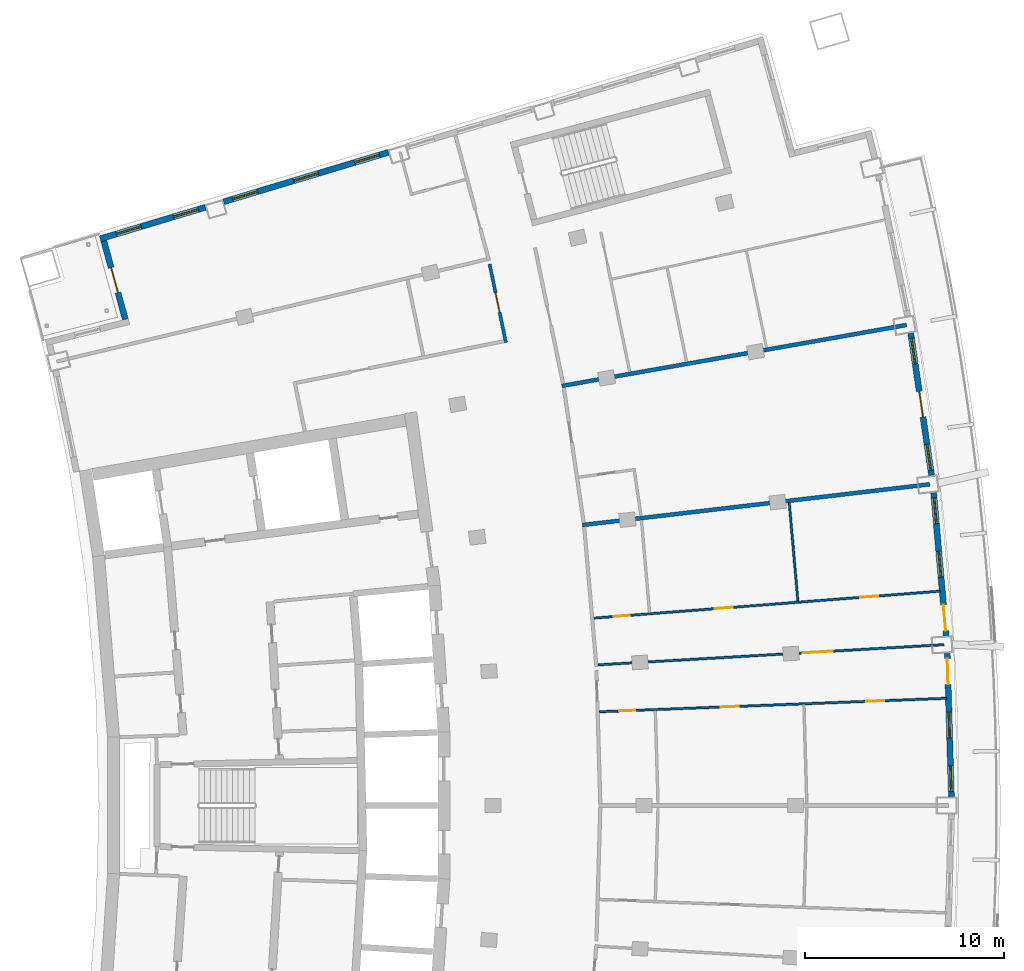
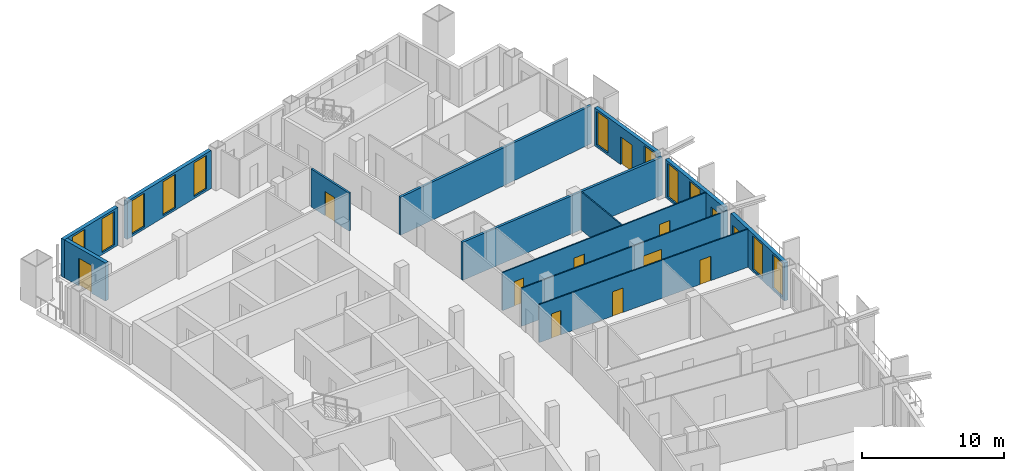
# One storey, part 14 of 19: 13 walls, 12 doors, 11 windows, 23 openings.
"""IFC4 building model written with IfcOpenShell, lengths in metres."""

from ifc_helpers import new_model, si_unit, direction, frame, frame_2d, origin, place, context, subcontext, project, spatial, rectangle, extrude, material, layer, layer_set, type_object, element, fill, save


model = new_model("IFC4")

# Units and contexts
model_context = context("Model", 3, precision=1e-05, world=origin(), true_north=direction((0.0, 1.0)))
body_context = subcontext(model_context, "Body", "Model", "MODEL_VIEW")
ifc_project = project(units=[si_unit("LENGTHUNIT", "METRE"), si_unit("AREAUNIT", "SQUARE_METRE"), si_unit("VOLUMEUNIT", "CUBIC_METRE"), si_unit("PLANEANGLEUNIT", "RADIAN"), si_unit("MASSUNIT", "GRAM", prefix="KILO")], contexts=[model_context])

# Site, building, storey
site_placement = place(None, origin())
site = spatial("IfcSite", under=ifc_project, at=site_placement, CompositionType="ELEMENT")
building_placement = place(site_placement, origin())
building = spatial("IfcBuilding", under=site, at=building_placement, Name="Alderwake Tower", CompositionType="ELEMENT")
storey_placement = place(building_placement, frame((0.0, 0.0, 192.800048828125)))
storey = spatial("IfcBuildingStorey", under=building, at=storey_placement, Name="L47", CompositionType="ELEMENT", Elevation=192.800048828125)

# Wall, opening, door
ifc_material_1 = material(Name="Gypsum board on metal studs, rated")
ifc_layer_1 = layer(ifc_material_1, 0.159912109375)
ifc_layer_set_1 = layer_set([ifc_layer_1], Name="Corridor wall 160")
wall_type_1 = type_object("IfcWallType", Name="Corridor wall 160", PredefinedType="PARTITIONING", material=ifc_layer_set_1)
wall_1_placement = place(storey_placement, frame((36.451416015625, 84.272705078125, 0.0), z_axis=(0.0, 0.0, 1.0), x_axis=(-0.203258199701, 0.979125172924, 0.0)))
wall_1 = element("IfcWall", 1, at=wall_1_placement, inside=storey, type_object=wall_type_1, Name="WL/L47/W17", PredefinedType="PARTITIONING", context=body_context, shape_type="SweptSolid", body=[
    extrude(rectangle(XDim=4.020263671875, YDim=0.159912109375, at=frame_2d((2.01025390625, 0.0))), origin(), (0.0, 0.0, 1.0), 3.280029296875),
])
opening_1_placement = place(wall_1_placement, frame((1.549560546875, 0.0, 0.0)))
opening_1 = element("IfcOpeningElement", 2, at=opening_1_placement, cuts=wall_1, Name="Opening R13-SBN2", PredefinedType="OPENING", context=body_context, shape_type="SweptSolid", body=[
    extrude(rectangle(XDim=1.0, YDim=2.10009765625, at=frame_2d((0.5, 1.050048828125))), frame((0.0, 0.08984375, 0.0), z_axis=(0.0, -1.0, 0.0), x_axis=(1.0, 0.0, 0.0)), (0.0, 0.0, 1.0), 0.179931640625),
])
ifc_material_2 = material(Name="Steel-framed fire door leaf", Category="steel")
door_type_1 = type_object("IfcDoorType", Name="Plant room door 1000 fire-rated", OperationType="SINGLE_SWING_LEFT", PredefinedType="DOOR", material=ifc_material_2)
door_1_placement = place(opening_1_placement, origin())
door_1 = element("IfcDoor", 3, at=door_1_placement, inside=storey, type_object=door_type_1, Name="DR/L47/SBN2", OperationType="SINGLE_SWING_LEFT", OverallHeight=2.10009765625, OverallWidth=1.0, PredefinedType="DOOR", context=body_context, shape_type="SweptSolid", body=[
    extrude(rectangle(XDim=1.0, YDim=2.10009765625, at=frame_2d((0.5, 1.050048828125))), frame((0.0, 0.02490234375, 0.0), z_axis=(0.0, -1.0, 0.0), x_axis=(1.0, 0.0, 0.0)), (0.0, 0.0, 1.0), 0.050048828125),
])
fill(opening_1, door_1)

# Wall, openings, door, windows
ifc_material_3 = material(Name="Precast concrete C50/60 spandrel panel", Category="concrete")
ifc_layer_2 = layer(ifc_material_3, 0.300048828125)
ifc_layer_set_2 = layer_set([ifc_layer_2], Name="External wall EW1 Precast concrete C50/60 spandrel")
wall_type_2 = type_object("IfcWallType", Name="External wall EW1 Precast concrete C50/60 spandrel", PredefinedType="SOLIDWALL", material=ifc_layer_set_2)
wall_2_placement = place(storey_placement, frame((58.8369140625, 61.447265625, 0.0), z_axis=(0.0, 0.0, 1.0), x_axis=(-0.0291809358, 0.999574145817, 0.0)))
wall_2 = element("IfcWall", 4, at=wall_2_placement, inside=storey, type_object=wall_type_2, Name="External wall 16", PredefinedType="SOLIDWALL", context=body_context, shape_type="SweptSolid", body=[
    extrude(rectangle(XDim=7.20361328125, YDim=0.300048828125, at=frame_2d((3.601806640625, 0.0))), origin(), (0.0, 0.0, 1.0), 3.280029296875),
])
opening_2_placement = place(wall_2_placement, frame((0.257080078125, 0.0, 0.199951171875)))
opening_2 = element("IfcOpeningElement", 5, at=opening_2_placement, cuts=wall_2, Name="Opening W1", PredefinedType="OPENING", context=body_context, shape_type="SweptSolid", body=[
    extrude(rectangle(XDim=1.300048828125, YDim=2.89990234375, at=frame_2d((0.64990234375, 1.449951171875))), frame((0.0, 0.159912109375, 0.0), z_axis=(0.0, -1.0, 0.0), x_axis=(1.0, 0.0, 0.0)), (0.0, 0.0, 1.0), 0.320068359375),
])
opening_3_placement = place(wall_2_placement, frame((2.951904296875, 0.0, 0.199951171875)))
opening_3 = element("IfcOpeningElement", 6, at=opening_3_placement, cuts=wall_2, Name="Opening W1", PredefinedType="OPENING", context=body_context, shape_type="SweptSolid", body=[
    extrude(rectangle(XDim=1.300048828125, YDim=2.89990234375, at=frame_2d((0.64990234375, 1.449951171875))), frame((0.0, 0.159912109375, 0.0), z_axis=(0.0, -1.0, 0.0), x_axis=(1.0, 0.0, 0.0)), (0.0, 0.0, 1.0), 0.320068359375),
])
opening_4_placement = place(wall_2_placement, frame((5.646484375, 0.0, 0.0)))
opening_4 = element("IfcOpeningElement", 7, at=opening_4_placement, cuts=wall_2, Name="Opening D05", PredefinedType="OPENING", context=body_context, shape_type="SweptSolid", body=[
    extrude(rectangle(XDim=1.300048828125, YDim=2.39990234375, at=frame_2d((0.64990234375, 1.199951171875))), frame((0.0, 0.159912109375, 0.0), z_axis=(0.0, -1.0, 0.0), x_axis=(1.0, 0.0, 0.0)), (0.0, 0.0, 1.0), 0.320068359375),
])
ifc_material_4 = material(Name="Bronze tinted glass in aluminium frame", Category="aluminium")
door_type_2 = type_object("IfcDoorType", Name="Balcony door BD sliding", OperationType="SLIDING_TO_LEFT", PredefinedType="DOOR", material=ifc_material_4)
door_2_placement = place(opening_4_placement, origin())
door_2 = element("IfcDoor", 8, at=door_2_placement, inside=storey, type_object=door_type_2, Name="Door D05", OperationType="SLIDING_TO_LEFT", OverallHeight=2.39990234375, OverallWidth=1.300048828125, PredefinedType="DOOR", context=body_context, shape_type="SweptSolid", body=[
    extrude(rectangle(XDim=1.300048828125, YDim=2.39990234375, at=frame_2d((0.64990234375, 1.199951171875))), frame((0.0, 0.02490234375, 0.0), z_axis=(0.0, -1.0, 0.0), x_axis=(1.0, 0.0, 0.0)), (0.0, 0.0, 1.0), 0.050048828125),
])
fill(opening_4, door_2)
ifc_material_5 = material(Name="Bronze tinted glass in aluminium frame", Category="aluminium")
window_type = type_object("IfcWindowType", Name="Window W1 tall fixed and vent", PartitioningType="DOUBLE_PANEL_VERTICAL", PredefinedType="WINDOW", material=ifc_material_5)
window_1_placement = place(opening_2_placement, origin())
window_1 = element("IfcWindow", 9, at=window_1_placement, inside=storey, type_object=window_type, Name="Window W1 tall fixed and vent", OverallHeight=2.89990234375, OverallWidth=1.300048828125, PartitioningType="DOUBLE_PANEL_VERTICAL", PredefinedType="WINDOW", context=body_context, shape_type="SweptSolid", body=[
    extrude(rectangle(XDim=1.300048828125, YDim=2.89990234375, at=frame_2d((0.64990234375, 1.449951171875))), frame((0.0, 0.030029296875, 0.0), z_axis=(0.0, -1.0, 0.0), x_axis=(1.0, 0.0, 0.0)), (0.0, 0.0, 1.0), 0.06005859375),
])
fill(opening_2, window_1)
window_2_placement = place(opening_3_placement, origin())
window_2 = element("IfcWindow", 10, at=window_2_placement, inside=storey, type_object=window_type, Name="Window W1 tall fixed and vent", OverallHeight=2.89990234375, OverallWidth=1.300048828125, PartitioningType="DOUBLE_PANEL_VERTICAL", PredefinedType="WINDOW", context=body_context, shape_type="SweptSolid", body=[
    extrude(rectangle(XDim=1.300048828125, YDim=2.89990234375, at=frame_2d((0.64990234375, 1.449951171875))), frame((0.0, 0.030029296875, 0.0), z_axis=(0.0, -1.0, 0.0), x_axis=(1.0, 0.0, 0.0)), (0.0, 0.0, 1.0), 0.06005859375),
])
fill(opening_3, window_2)

wall_3_placement = place(storey_placement, frame((58.57470703125, 69.540771484375, 0.0), z_axis=(0.0, 0.0, 1.0), x_axis=(-0.087372536775, 0.996175707301, 0.0)))
wall_3 = element("IfcWall", 11, at=wall_3_placement, inside=storey, type_object=wall_type_2, Name="External wall 17", PredefinedType="SOLIDWALL", context=body_context, shape_type="SweptSolid", body=[
    extrude(rectangle(XDim=7.20361328125, YDim=0.300048828125, at=frame_2d((3.601806640625, 0.0))), origin(), (0.0, 0.0, 1.0), 3.280029296875),
])
opening_5_placement = place(wall_3_placement, frame((0.257080078125, 0.0, 0.0)))
opening_5 = element("IfcOpeningElement", 12, at=opening_5_placement, cuts=wall_3, Name="Opening D06", PredefinedType="OPENING", context=body_context, shape_type="SweptSolid", body=[
    extrude(rectangle(XDim=1.300048828125, YDim=2.39990234375, at=frame_2d((0.64990234375, 1.199951171875))), frame((0.0, 0.159912109375, 0.0), z_axis=(0.0, -1.0, 0.0), x_axis=(1.0, 0.0, 0.0)), (0.0, 0.0, 1.0), 0.320068359375),
])
opening_6_placement = place(wall_3_placement, frame((2.951904296875, 0.0, 0.199951171875)))
opening_6 = element("IfcOpeningElement", 13, at=opening_6_placement, cuts=wall_3, Name="Opening W1", PredefinedType="OPENING", context=body_context, shape_type="SweptSolid", body=[
    extrude(rectangle(XDim=1.300048828125, YDim=2.89990234375, at=frame_2d((0.64990234375, 1.449951171875))), frame((0.0, 0.159912109375, 0.0), z_axis=(0.0, -1.0, 0.0), x_axis=(1.0, 0.0, 0.0)), (0.0, 0.0, 1.0), 0.320068359375),
])
opening_7_placement = place(wall_3_placement, frame((5.646484375, 0.0, 0.199951171875)))
opening_7 = element("IfcOpeningElement", 14, at=opening_7_placement, cuts=wall_3, Name="Opening W1", PredefinedType="OPENING", context=body_context, shape_type="SweptSolid", body=[
    extrude(rectangle(XDim=1.300048828125, YDim=2.89990234375, at=frame_2d((0.64990234375, 1.449951171875))), frame((0.0, 0.159912109375, 0.0), z_axis=(0.0, -1.0, 0.0), x_axis=(1.0, 0.0, 0.0)), (0.0, 0.0, 1.0), 0.320068359375),
])
door_3_placement = place(opening_5_placement, origin())
door_3 = element("IfcDoor", 15, at=door_3_placement, inside=storey, type_object=door_type_2, Name="Door D06", OperationType="SLIDING_TO_LEFT", OverallHeight=2.39990234375, OverallWidth=1.300048828125, PredefinedType="DOOR", context=body_context, shape_type="SweptSolid", body=[
    extrude(rectangle(XDim=1.300048828125, YDim=2.39990234375, at=frame_2d((0.64990234375, 1.199951171875))), frame((0.0, 0.02490234375, 0.0), z_axis=(0.0, -1.0, 0.0), x_axis=(1.0, 0.0, 0.0)), (0.0, 0.0, 1.0), 0.050048828125),
])
fill(opening_5, door_3)
window_3_placement = place(opening_6_placement, origin())
window_3 = element("IfcWindow", 16, at=window_3_placement, inside=storey, type_object=window_type, Name="Window W1 tall fixed and vent", OverallHeight=2.89990234375, OverallWidth=1.300048828125, PartitioningType="DOUBLE_PANEL_VERTICAL", PredefinedType="WINDOW", context=body_context, shape_type="SweptSolid", body=[
    extrude(rectangle(XDim=1.300048828125, YDim=2.89990234375, at=frame_2d((0.64990234375, 1.449951171875))), frame((0.0, 0.030029296875, 0.0), z_axis=(0.0, -1.0, 0.0), x_axis=(1.0, 0.0, 0.0)), (0.0, 0.0, 1.0), 0.06005859375),
])
fill(opening_6, window_3)
window_4_placement = place(opening_7_placement, origin())
window_4 = element("IfcWindow", 17, at=window_4_placement, inside=storey, type_object=window_type, Name="Window W1 tall fixed and vent", OverallHeight=2.89990234375, OverallWidth=1.300048828125, PartitioningType="DOUBLE_PANEL_VERTICAL", PredefinedType="WINDOW", context=body_context, shape_type="SweptSolid", body=[
    extrude(rectangle(XDim=1.300048828125, YDim=2.89990234375, at=frame_2d((0.64990234375, 1.449951171875))), frame((0.0, 0.030029296875, 0.0), z_axis=(0.0, -1.0, 0.0), x_axis=(1.0, 0.0, 0.0)), (0.0, 0.0, 1.0), 0.06005859375),
])
fill(opening_7, window_4)

wall_4_placement = place(storey_placement, frame((57.841064453125, 77.60498046875, 0.0), z_axis=(0.0, 0.0, 1.0), x_axis=(-0.145320319938, 0.98938465958, 0.0)))
wall_4 = element("IfcWall", 18, at=wall_4_placement, inside=storey, type_object=wall_type_2, Name="External wall 18", PredefinedType="SOLIDWALL", context=body_context, shape_type="SweptSolid", body=[
    extrude(rectangle(XDim=7.203857421875, YDim=0.300048828125, at=frame_2d((3.60205078125, 0.0))), origin(), (0.0, 0.0, 1.0), 3.280029296875),
])
opening_8_placement = place(wall_4_placement, frame((0.257080078125, 0.0, 0.199951171875)))
opening_8 = element("IfcOpeningElement", 19, at=opening_8_placement, cuts=wall_4, Name="Opening W1", PredefinedType="OPENING", context=body_context, shape_type="SweptSolid", body=[
    extrude(rectangle(XDim=1.300048828125, YDim=2.89990234375, at=frame_2d((0.64990234375, 1.449951171875))), frame((0.0, 0.159912109375, 0.0), z_axis=(0.0, -1.0, 0.0), x_axis=(1.0, 0.0, 0.0)), (0.0, 0.0, 1.0), 0.320068359375),
])
opening_9_placement = place(wall_4_placement, frame((2.951904296875, 0.0, 0.0)))
opening_9 = element("IfcOpeningElement", 20, at=opening_9_placement, cuts=wall_4, Name="Opening D07", PredefinedType="OPENING", context=body_context, shape_type="SweptSolid", body=[
    extrude(rectangle(XDim=1.300048828125, YDim=2.39990234375, at=frame_2d((0.64990234375, 1.199951171875))), frame((0.0, 0.159912109375, 0.0), z_axis=(0.0, -1.0, 0.0), x_axis=(1.0, 0.0, 0.0)), (0.0, 0.0, 1.0), 0.320068359375),
])
opening_10_placement = place(wall_4_placement, frame((5.646484375, 0.0, 0.199951171875)))
opening_10 = element("IfcOpeningElement", 21, at=opening_10_placement, cuts=wall_4, Name="Opening W1", PredefinedType="OPENING", context=body_context, shape_type="SweptSolid", body=[
    extrude(rectangle(XDim=1.300048828125, YDim=2.89990234375, at=frame_2d((0.64990234375, 1.449951171875))), frame((0.0, 0.159912109375, 0.0), z_axis=(0.0, -1.0, 0.0), x_axis=(1.0, 0.0, 0.0)), (0.0, 0.0, 1.0), 0.320068359375),
])
door_4_placement = place(opening_9_placement, origin())
door_4 = element("IfcDoor", 22, at=door_4_placement, inside=storey, type_object=door_type_2, Name="Door D07", OperationType="SLIDING_TO_LEFT", OverallHeight=2.39990234375, OverallWidth=1.300048828125, PredefinedType="DOOR", context=body_context, shape_type="SweptSolid", body=[
    extrude(rectangle(XDim=1.300048828125, YDim=2.39990234375, at=frame_2d((0.64990234375, 1.199951171875))), frame((0.0, 0.02490234375, 0.0), z_axis=(0.0, -1.0, 0.0), x_axis=(1.0, 0.0, 0.0)), (0.0, 0.0, 1.0), 0.050048828125),
])
fill(opening_9, door_4)
window_5_placement = place(opening_8_placement, origin())
window_5 = element("IfcWindow", 23, at=window_5_placement, inside=storey, type_object=window_type, Name="Window W1 tall fixed and vent", OverallHeight=2.89990234375, OverallWidth=1.300048828125, PartitioningType="DOUBLE_PANEL_VERTICAL", PredefinedType="WINDOW", context=body_context, shape_type="SweptSolid", body=[
    extrude(rectangle(XDim=1.300048828125, YDim=2.89990234375, at=frame_2d((0.64990234375, 1.449951171875))), frame((0.0, 0.030029296875, 0.0), z_axis=(0.0, -1.0, 0.0), x_axis=(1.0, 0.0, 0.0)), (0.0, 0.0, 1.0), 0.06005859375),
])
fill(opening_8, window_5)
window_6_placement = place(opening_10_placement, origin())
window_6 = element("IfcWindow", 24, at=window_6_placement, inside=storey, type_object=window_type, Name="Window W1 tall fixed and vent", OverallHeight=2.89990234375, OverallWidth=1.300048828125, PartitioningType="DOUBLE_PANEL_VERTICAL", PredefinedType="WINDOW", context=body_context, shape_type="SweptSolid", body=[
    extrude(rectangle(XDim=1.300048828125, YDim=2.89990234375, at=frame_2d((0.64990234375, 1.449951171875))), frame((0.0, 0.030029296875, 0.0), z_axis=(0.0, -1.0, 0.0), x_axis=(1.0, 0.0, 0.0)), (0.0, 0.0, 1.0), 0.06005859375),
])
fill(opening_10, window_6)

# Wall, openings, windows
ifc_material_6 = material(Name="Bronze metal cladding on lightweight framing")
ifc_layer_3 = layer(ifc_material_6, 0.300048828125)
ifc_layer_set_3 = layer_set([ifc_layer_3], Name="External wall EW2 bronze metal cladding")
wall_type_3 = type_object("IfcWallType", Name="External wall EW2 bronze metal cladding", PredefinedType="SOLIDWALL", material=ifc_layer_set_3)
wall_5_placement = place(storey_placement, frame((30.551513671875, 93.825439453125, 0.0), z_axis=(0.0, 0.0, 1.0), x_axis=(-0.957759421932, -0.287570669054, 0.0)))
wall_5 = element("IfcWall", 25, at=wall_5_placement, inside=storey, type_object=wall_type_3, Name="External wall 26", PredefinedType="SOLIDWALL", context=body_context, shape_type="SweptSolid", body=[
    extrude(rectangle(XDim=8.64599609375, YDim=0.300048828125, at=frame_2d((4.322998046875, 0.0))), origin(), (0.0, 0.0, 1.0), 3.280029296875),
])
opening_11_placement = place(wall_5_placement, frame((0.47314453125, 0.0, 0.199951171875)))
opening_11 = element("IfcOpeningElement", 26, at=opening_11_placement, cuts=wall_5, Name="Opening W1", PredefinedType="OPENING", context=body_context, shape_type="SweptSolid", body=[
    extrude(rectangle(XDim=1.300048828125, YDim=2.89990234375, at=frame_2d((0.64990234375, 1.449951171875))), frame((0.0, 0.159912109375, 0.0), z_axis=(0.0, -1.0, 0.0), x_axis=(1.0, 0.0, 0.0)), (0.0, 0.0, 1.0), 0.320068359375),
])
opening_12_placement = place(wall_5_placement, frame((3.673095703125, 0.0, 0.199951171875)))
opening_12 = element("IfcOpeningElement", 27, at=opening_12_placement, cuts=wall_5, Name="Opening W1", PredefinedType="OPENING", context=body_context, shape_type="SweptSolid", body=[
    extrude(rectangle(XDim=1.300048828125, YDim=2.89990234375, at=frame_2d((0.64990234375, 1.449951171875))), frame((0.0, 0.159912109375, 0.0), z_axis=(0.0, -1.0, 0.0), x_axis=(1.0, 0.0, 0.0)), (0.0, 0.0, 1.0), 0.320068359375),
])
opening_13_placement = place(wall_5_placement, frame((6.873291015625, 0.0, 0.199951171875)))
opening_13 = element("IfcOpeningElement", 28, at=opening_13_placement, cuts=wall_5, Name="Opening W1", PredefinedType="OPENING", context=body_context, shape_type="SweptSolid", body=[
    extrude(rectangle(XDim=1.300048828125, YDim=2.89990234375, at=frame_2d((0.64990234375, 1.449951171875))), frame((0.0, 0.159912109375, 0.0), z_axis=(0.0, -1.0, 0.0), x_axis=(1.0, 0.0, 0.0)), (0.0, 0.0, 1.0), 0.320068359375),
])
window_7_placement = place(opening_11_placement, origin())
window_7 = element("IfcWindow", 29, at=window_7_placement, inside=storey, type_object=window_type, Name="Window W1 tall fixed and vent", OverallHeight=2.89990234375, OverallWidth=1.300048828125, PartitioningType="DOUBLE_PANEL_VERTICAL", PredefinedType="WINDOW", context=body_context, shape_type="SweptSolid", body=[
    extrude(rectangle(XDim=1.300048828125, YDim=2.89990234375, at=frame_2d((0.64990234375, 1.449951171875))), frame((0.0, 0.030029296875, 0.0), z_axis=(0.0, -1.0, 0.0), x_axis=(1.0, 0.0, 0.0)), (0.0, 0.0, 1.0), 0.06005859375),
])
fill(opening_11, window_7)
window_8_placement = place(opening_12_placement, origin())
window_8 = element("IfcWindow", 30, at=window_8_placement, inside=storey, type_object=window_type, Name="Window W1 tall fixed and vent", OverallHeight=2.89990234375, OverallWidth=1.300048828125, PartitioningType="DOUBLE_PANEL_VERTICAL", PredefinedType="WINDOW", context=body_context, shape_type="SweptSolid", body=[
    extrude(rectangle(XDim=1.300048828125, YDim=2.89990234375, at=frame_2d((0.64990234375, 1.449951171875))), frame((0.0, 0.030029296875, 0.0), z_axis=(0.0, -1.0, 0.0), x_axis=(1.0, 0.0, 0.0)), (0.0, 0.0, 1.0), 0.06005859375),
])
fill(opening_12, window_8)
window_9_placement = place(opening_13_placement, origin())
window_9 = element("IfcWindow", 31, at=window_9_placement, inside=storey, type_object=window_type, Name="Window W1 tall fixed and vent", OverallHeight=2.89990234375, OverallWidth=1.300048828125, PartitioningType="DOUBLE_PANEL_VERTICAL", PredefinedType="WINDOW", context=body_context, shape_type="SweptSolid", body=[
    extrude(rectangle(XDim=1.300048828125, YDim=2.89990234375, at=frame_2d((0.64990234375, 1.449951171875))), frame((0.0, 0.030029296875, 0.0), z_axis=(0.0, -1.0, 0.0), x_axis=(1.0, 0.0, 0.0)), (0.0, 0.0, 1.0), 0.06005859375),
])
fill(opening_13, window_9)

wall_6_placement = place(storey_placement, frame((21.356689453125, 91.064697265625, 0.0), z_axis=(0.0, 0.0, 1.0), x_axis=(-0.957772749247, -0.287526278451, 0.0)))
wall_6 = element("IfcWall", 32, at=wall_6_placement, inside=storey, type_object=wall_type_3, Name="External wall 27", PredefinedType="SOLIDWALL", context=body_context, shape_type="SweptSolid", body=[
    extrude(rectangle(XDim=5.524169921875, YDim=0.300048828125, at=frame_2d((2.76220703125, 0.0))), origin(), (0.0, 0.0, 1.0), 3.280029296875),
])
opening_14_placement = place(wall_6_placement, frame((0.373291015625, 0.0, 0.199951171875)))
opening_14 = element("IfcOpeningElement", 33, at=opening_14_placement, cuts=wall_6, Name="Opening W1", PredefinedType="OPENING", context=body_context, shape_type="SweptSolid", body=[
    extrude(rectangle(XDim=1.300048828125, YDim=2.89990234375, at=frame_2d((0.64990234375, 1.449951171875))), frame((0.0, 0.159912109375, 0.0), z_axis=(0.0, -1.0, 0.0), x_axis=(1.0, 0.0, 0.0)), (0.0, 0.0, 1.0), 0.320068359375),
])
opening_15_placement = place(wall_6_placement, frame((3.3740234375, 0.0, 0.199951171875)))
opening_15 = element("IfcOpeningElement", 34, at=opening_15_placement, cuts=wall_6, Name="Opening W1", PredefinedType="OPENING", context=body_context, shape_type="SweptSolid", body=[
    extrude(rectangle(XDim=1.300048828125, YDim=2.89990234375, at=frame_2d((0.64990234375, 1.449951171875))), frame((0.0, 0.159912109375, 0.0), z_axis=(0.0, -1.0, 0.0), x_axis=(1.0, 0.0, 0.0)), (0.0, 0.0, 1.0), 0.320068359375),
])
window_10_placement = place(opening_14_placement, origin())
window_10 = element("IfcWindow", 35, at=window_10_placement, inside=storey, type_object=window_type, Name="Window W1 tall fixed and vent", OverallHeight=2.89990234375, OverallWidth=1.300048828125, PartitioningType="DOUBLE_PANEL_VERTICAL", PredefinedType="WINDOW", context=body_context, shape_type="SweptSolid", body=[
    extrude(rectangle(XDim=1.300048828125, YDim=2.89990234375, at=frame_2d((0.64990234375, 1.449951171875))), frame((0.0, 0.030029296875, 0.0), z_axis=(0.0, -1.0, 0.0), x_axis=(1.0, 0.0, 0.0)), (0.0, 0.0, 1.0), 0.06005859375),
])
fill(opening_14, window_10)
window_11_placement = place(opening_15_placement, origin())
window_11 = element("IfcWindow", 36, at=window_11_placement, inside=storey, type_object=window_type, Name="Window W1 tall fixed and vent", OverallHeight=2.89990234375, OverallWidth=1.300048828125, PartitioningType="DOUBLE_PANEL_VERTICAL", PredefinedType="WINDOW", context=body_context, shape_type="SweptSolid", body=[
    extrude(rectangle(XDim=1.300048828125, YDim=2.89990234375, at=frame_2d((0.64990234375, 1.449951171875))), frame((0.0, 0.030029296875, 0.0), z_axis=(0.0, -1.0, 0.0), x_axis=(1.0, 0.0, 0.0)), (0.0, 0.0, 1.0), 0.06005859375),
])
fill(opening_15, window_11)

# Wall, opening, door
wall_7_placement = place(storey_placement, frame((16.248779296875, 89.374755859375, 0.0), z_axis=(0.0, 0.0, 1.0), x_axis=(0.264607053468, -0.964356317579, 0.0)))
wall_7 = element("IfcWall", 37, at=wall_7_placement, inside=storey, type_object=wall_type_3, Name="External wall 28", PredefinedType="SOLIDWALL", context=body_context, shape_type="SweptSolid", body=[
    extrude(rectangle(XDim=4.090087890625, YDim=0.300048828125, at=frame_2d((2.044921875, 0.0))), origin(), (0.0, 0.0, 1.0), 3.280029296875),
])
opening_16_placement = place(wall_7_placement, frame((1.39501953125, 0.0, 0.0)))
opening_16 = element("IfcOpeningElement", 38, at=opening_16_placement, cuts=wall_7, Name="Opening D09", PredefinedType="OPENING", context=body_context, shape_type="SweptSolid", body=[
    extrude(rectangle(XDim=1.300048828125, YDim=2.39990234375, at=frame_2d((0.64990234375, 1.199951171875))), frame((0.0, 0.159912109375, 0.0), z_axis=(0.0, -1.0, 0.0), x_axis=(1.0, 0.0, 0.0)), (0.0, 0.0, 1.0), 0.320068359375),
])
door_5_placement = place(opening_16_placement, origin())
door_5 = element("IfcDoor", 39, at=door_5_placement, inside=storey, type_object=door_type_2, Name="Door D09", OperationType="SLIDING_TO_LEFT", OverallHeight=2.39990234375, OverallWidth=1.300048828125, PredefinedType="DOOR", context=body_context, shape_type="SweptSolid", body=[
    extrude(rectangle(XDim=1.300048828125, YDim=2.39990234375, at=frame_2d((0.64990234375, 1.199951171875))), frame((0.0, 0.02490234375, 0.0), z_axis=(0.0, -1.0, 0.0), x_axis=(1.0, 0.0, 0.0)), (0.0, 0.0, 1.0), 0.050048828125),
])
fill(opening_16, door_5)

# Walls
ifc_material_7 = material(Name="Dense block masonry wall", Category="masonry")
ifc_layer_4 = layer(ifc_material_7, 0.199951171875)
ifc_layer_set_4 = layer_set([ifc_layer_4], Name="Party wall 200")
wall_type_4 = type_object("IfcWallType", Name="Party wall 200", PredefinedType="SOLIDWALL", material=ifc_layer_set_4)
wall_8_placement = place(storey_placement, frame((56.5830078125, 85.14892578125, 0.0), z_axis=(0.0, 0.0, 1.0), x_axis=(-0.984721150285, -0.174138611979, 0.0)))
element("IfcWall", 40, at=wall_8_placement, inside=storey, type_object=wall_type_4, Name="WL/L47/W01", PredefinedType="SOLIDWALL", context=body_context, shape_type="SweptSolid", body=[
    extrude(rectangle(XDim=17.582275390625, YDim=0.199951171875, at=frame_2d((8.791015625, 0.0))), origin(), (0.0, 0.0, 1.0), 3.280029296875),
])
wall_9_placement = place(storey_placement, frame((57.756103515625, 77.14501953125, 0.0), z_axis=(0.0, 0.0, 1.0), x_axis=(-0.99320038144, -0.116417362568, 0.0)))
element("IfcWall", 41, at=wall_9_placement, inside=storey, type_object=wall_type_4, Name="WL/L47/W02", PredefinedType="SOLIDWALL", context=body_context, shape_type="SweptSolid", body=[
    extrude(rectangle(XDim=17.578125, YDim=0.199951171875, at=frame_2d((8.7890625, 0.0))), origin(), (0.0, 0.0, 1.0), 3.280029296875),
])

# Wall, openings, doors
ifc_material_8 = material(Name="Gypsum board on metal studs")
ifc_layer_5 = layer(ifc_material_8, 0.10009765625)
ifc_layer_set_5 = layer_set([ifc_layer_5], Name="Unit partition 100")
wall_type_5 = type_object("IfcWallType", Name="Unit partition 100", PredefinedType="PARTITIONING", material=ifc_layer_set_5)
wall_10_placement = place(storey_placement, frame((40.867919921875, 70.419189453125, 0.0), z_axis=(0.0, 0.0, 1.0), x_axis=(0.996981921396, 0.077634067331, 0.0)))
wall_10 = element("IfcWall", 42, at=wall_10_placement, inside=storey, type_object=wall_type_5, Name="WL/L47/W45", PredefinedType="PARTITIONING", context=body_context, shape_type="SweptSolid", body=[
    extrude(rectangle(XDim=17.462890625, YDim=0.10009765625, at=frame_2d((8.7314453125, 0.0))), origin(), (0.0, 0.0, 1.0), 3.280029296875),
])
opening_17_placement = place(wall_10_placement, frame((6.105712890625, 0.0, 0.0)))
opening_17 = element("IfcOpeningElement", 43, at=opening_17_placement, cuts=wall_10, Name="Opening R13-U05.5", PredefinedType="OPENING", context=body_context, shape_type="SweptSolid", body=[
    extrude(rectangle(XDim=0.89990234375, YDim=2.10009765625, at=frame_2d((0.449951171875, 1.050048828125))), frame((0.0, 0.06005859375, 0.0), z_axis=(0.0, -1.0, 0.0), x_axis=(1.0, 0.0, 0.0)), (0.0, 0.0, 1.0), 0.1201171875),
])
opening_18_placement = place(wall_10_placement, frame((1.009521484375, 0.0, 0.0)))
opening_18 = element("IfcOpeningElement", 44, at=opening_18_placement, cuts=wall_10, Name="Opening R13-U05.6", PredefinedType="OPENING", context=body_context, shape_type="SweptSolid", body=[
    extrude(rectangle(XDim=0.800048828125, YDim=2.10009765625, at=frame_2d((0.39990234375, 1.050048828125))), frame((0.0, 0.06005859375, 0.0), z_axis=(0.0, -1.0, 0.0), x_axis=(1.0, 0.0, 0.0)), (0.0, 0.0, 1.0), 0.1201171875),
])
opening_19_placement = place(wall_10_placement, frame((13.427490234375, 0.0, 0.0)))
opening_19 = element("IfcOpeningElement", 45, at=opening_19_placement, cuts=wall_10, Name="Opening R13-U05.7", PredefinedType="OPENING", context=body_context, shape_type="SweptSolid", body=[
    extrude(rectangle(XDim=0.89990234375, YDim=2.10009765625, at=frame_2d((0.449951171875, 1.050048828125))), frame((0.0, 0.06005859375, 0.0), z_axis=(0.0, -1.0, 0.0), x_axis=(1.0, 0.0, 0.0)), (0.0, 0.0, 1.0), 0.1201171875),
])
ifc_material_9 = material(Name="Painted timber leaf", Category="wood")
door_type_3 = type_object("IfcDoorType", Name="Bathroom door 800", OperationType="SINGLE_SWING_LEFT", PredefinedType="DOOR", material=ifc_material_9)
door_6_placement = place(opening_18_placement, origin())
door_6 = element("IfcDoor", 46, at=door_6_placement, inside=storey, type_object=door_type_3, Name="DR/L47/U05.6", OperationType="SINGLE_SWING_LEFT", OverallHeight=2.10009765625, OverallWidth=0.800048828125, PredefinedType="DOOR", context=body_context, shape_type="SweptSolid", body=[
    extrude(rectangle(XDim=0.800048828125, YDim=2.10009765625, at=frame_2d((0.39990234375, 1.050048828125))), frame((0.0, 0.02490234375, 0.0), z_axis=(0.0, -1.0, 0.0), x_axis=(1.0, 0.0, 0.0)), (0.0, 0.0, 1.0), 0.050048828125),
])
fill(opening_18, door_6)
ifc_material_10 = material(Name="Painted timber leaf", Category="wood")
door_type_4 = type_object("IfcDoorType", Name="Room door 900", OperationType="SINGLE_SWING_LEFT", PredefinedType="DOOR", material=ifc_material_10)
door_7_placement = place(opening_17_placement, origin())
door_7 = element("IfcDoor", 47, at=door_7_placement, inside=storey, type_object=door_type_4, Name="DR/L47/U05.5", OperationType="SINGLE_SWING_LEFT", OverallHeight=2.10009765625, OverallWidth=0.89990234375, PredefinedType="DOOR", context=body_context, shape_type="SweptSolid", body=[
    extrude(rectangle(XDim=0.89990234375, YDim=2.10009765625, at=frame_2d((0.449951171875, 1.050048828125))), frame((0.0, 0.02490234375, 0.0), z_axis=(0.0, -1.0, 0.0), x_axis=(1.0, 0.0, 0.0)), (0.0, 0.0, 1.0), 0.050048828125),
])
fill(opening_17, door_7)
door_8_placement = place(opening_19_placement, origin())
door_8 = element("IfcDoor", 48, at=door_8_placement, inside=storey, type_object=door_type_4, Name="DR/L47/U05.7", OperationType="SINGLE_SWING_LEFT", OverallHeight=2.10009765625, OverallWidth=0.89990234375, PredefinedType="DOOR", context=body_context, shape_type="SweptSolid", body=[
    extrude(rectangle(XDim=0.89990234375, YDim=2.10009765625, at=frame_2d((0.449951171875, 1.050048828125))), frame((0.0, 0.02490234375, 0.0), z_axis=(0.0, -1.0, 0.0), x_axis=(1.0, 0.0, 0.0)), (0.0, 0.0, 1.0), 0.050048828125),
])
fill(opening_19, door_8)

wall_11_placement = place(storey_placement, frame((58.593017578125, 66.39306640625, 0.0), z_axis=(0.0, 0.0, 1.0), x_axis=(-0.999246022294, -0.038825081205, 0.0)))
wall_11 = element("IfcWall", 49, at=wall_11_placement, inside=storey, type_object=wall_type_5, Name="WL/L47/W47", PredefinedType="PARTITIONING", context=body_context, shape_type="SweptSolid", body=[
    extrude(rectangle(XDim=17.46240234375, YDim=0.10009765625, at=frame_2d((8.731201171875, 0.0))), origin(), (0.0, 0.0, 1.0), 3.280029296875),
])
opening_20_placement = place(wall_11_placement, frame((10.4580078125, 0.0, 0.0)))
opening_20 = element("IfcOpeningElement", 50, at=opening_20_placement, cuts=wall_11, Name="Opening R13-U05.1", PredefinedType="OPENING", context=body_context, shape_type="SweptSolid", body=[
    extrude(rectangle(XDim=0.89990234375, YDim=2.10009765625, at=frame_2d((0.449951171875, 1.050048828125))), frame((0.0, 0.06005859375, 0.0), z_axis=(0.0, -1.0, 0.0), x_axis=(1.0, 0.0, 0.0)), (0.0, 0.0, 1.0), 0.1201171875),
])
opening_21_placement = place(wall_11_placement, frame((15.653564453125, 0.0, 0.0)))
opening_21 = element("IfcOpeningElement", 51, at=opening_21_placement, cuts=wall_11, Name="Opening R13-U05.3", PredefinedType="OPENING", context=body_context, shape_type="SweptSolid", body=[
    extrude(rectangle(XDim=0.800048828125, YDim=2.10009765625, at=frame_2d((0.39990234375, 1.050048828125))), frame((0.0, 0.06005859375, 0.0), z_axis=(0.0, -1.0, 0.0), x_axis=(1.0, 0.0, 0.0)), (0.0, 0.0, 1.0), 0.1201171875),
])
opening_22_placement = place(wall_11_placement, frame((3.13623046875, 0.0, 0.0)))
opening_22 = element("IfcOpeningElement", 52, at=opening_22_placement, cuts=wall_11, Name="Opening R13-U05.4", PredefinedType="OPENING", context=body_context, shape_type="SweptSolid", body=[
    extrude(rectangle(XDim=0.89990234375, YDim=2.10009765625, at=frame_2d((0.449951171875, 1.050048828125))), frame((0.0, 0.06005859375, 0.0), z_axis=(0.0, -1.0, 0.0), x_axis=(1.0, 0.0, 0.0)), (0.0, 0.0, 1.0), 0.1201171875),
])
door_9_placement = place(opening_21_placement, origin())
door_9 = element("IfcDoor", 53, at=door_9_placement, inside=storey, type_object=door_type_3, Name="DR/L47/U05.3", OperationType="SINGLE_SWING_LEFT", OverallHeight=2.10009765625, OverallWidth=0.800048828125, PredefinedType="DOOR", context=body_context, shape_type="SweptSolid", body=[
    extrude(rectangle(XDim=0.800048828125, YDim=2.10009765625, at=frame_2d((0.39990234375, 1.050048828125))), frame((0.0, 0.02490234375, 0.0), z_axis=(0.0, -1.0, 0.0), x_axis=(1.0, 0.0, 0.0)), (0.0, 0.0, 1.0), 0.050048828125),
])
fill(opening_21, door_9)
door_10_placement = place(opening_20_placement, origin())
door_10 = element("IfcDoor", 54, at=door_10_placement, inside=storey, type_object=door_type_4, Name="DR/L47/U05.1", OperationType="SINGLE_SWING_LEFT", OverallHeight=2.10009765625, OverallWidth=0.89990234375, PredefinedType="DOOR", context=body_context, shape_type="SweptSolid", body=[
    extrude(rectangle(XDim=0.89990234375, YDim=2.10009765625, at=frame_2d((0.449951171875, 1.050048828125))), frame((0.0, 0.02490234375, 0.0), z_axis=(0.0, -1.0, 0.0), x_axis=(1.0, 0.0, 0.0)), (0.0, 0.0, 1.0), 0.050048828125),
])
fill(opening_20, door_10)
door_11_placement = place(opening_22_placement, origin())
door_11 = element("IfcDoor", 55, at=door_11_placement, inside=storey, type_object=door_type_4, Name="DR/L47/U05.4", OperationType="SINGLE_SWING_LEFT", OverallHeight=2.10009765625, OverallWidth=0.89990234375, PredefinedType="DOOR", context=body_context, shape_type="SweptSolid", body=[
    extrude(rectangle(XDim=0.89990234375, YDim=2.10009765625, at=frame_2d((0.449951171875, 1.050048828125))), frame((0.0, 0.02490234375, 0.0), z_axis=(0.0, -1.0, 0.0), x_axis=(1.0, 0.0, 0.0)), (0.0, 0.0, 1.0), 0.050048828125),
])
fill(opening_22, door_11)

# Wall
wall_12_placement = place(storey_placement, frame((51.12451171875, 71.269775390625, 0.0), z_axis=(0.0, 0.0, 1.0), x_axis=(-0.087352937881, 0.996177426086, 0.0)))
element("IfcWall", 56, at=wall_12_placement, inside=storey, type_object=wall_type_5, Name="WL/L47/W52", PredefinedType="PARTITIONING", context=body_context, shape_type="SweptSolid", body=[
    extrude(rectangle(XDim=4.966552734375, YDim=0.10009765625, at=frame_2d((2.4833984375, 0.0))), origin(), (0.0, 0.0, 1.0), 3.280029296875),
])

# Wall, opening, door
wall_13_placement = place(storey_placement, frame((41.074951171875, 68.07177734375, 0.0), z_axis=(0.0, 0.0, 1.0), x_axis=(0.998300373254, 0.058278338696, 0.0)))
wall_13 = element("IfcWall", 57, at=wall_13_placement, inside=storey, type_object=wall_type_5, Name="WL/L47/W56", PredefinedType="PARTITIONING", context=body_context, shape_type="SweptSolid", body=[
    extrude(rectangle(XDim=17.418701171875, YDim=0.10009765625, at=frame_2d((8.70947265625, 0.0))), origin(), (0.0, 0.0, 1.0), 3.280029296875),
])
opening_23_placement = place(wall_13_placement, frame((10.311279296875, 0.0, 0.0)))
opening_23 = element("IfcOpeningElement", 58, at=opening_23_placement, cuts=wall_13, Name="Opening R13-U05.8", PredefinedType="OPENING", context=body_context, shape_type="SweptSolid", body=[
    extrude(rectangle(XDim=1.5, YDim=2.10009765625, at=frame_2d((0.75, 1.050048828125))), frame((0.0, 0.06005859375, 0.0), z_axis=(0.0, -1.0, 0.0), x_axis=(1.0, 0.0, 0.0)), (0.0, 0.0, 1.0), 0.1201171875),
])
ifc_material_11 = material(Name="Painted timber leaves", Category="wood")
door_type_5 = type_object("IfcDoorType", Name="Double leaf door 1500", OperationType="DOUBLE_DOOR_SINGLE_SWING", PredefinedType="DOOR", material=ifc_material_11)
door_12_placement = place(opening_23_placement, origin())
door_12 = element("IfcDoor", 59, at=door_12_placement, inside=storey, type_object=door_type_5, Name="DR/L47/U05.8", OperationType="DOUBLE_DOOR_SINGLE_SWING", OverallHeight=2.10009765625, OverallWidth=1.5, PredefinedType="DOOR", context=body_context, shape_type="SweptSolid", body=[
    extrude(rectangle(XDim=1.5, YDim=2.10009765625, at=frame_2d((0.75, 1.050048828125))), frame((0.0, 0.02490234375, 0.0), z_axis=(0.0, -1.0, 0.0), x_axis=(1.0, 0.0, 0.0)), (0.0, 0.0, 1.0), 0.050048828125),
])
fill(opening_23, door_12)

save(model, "model.ifc")
